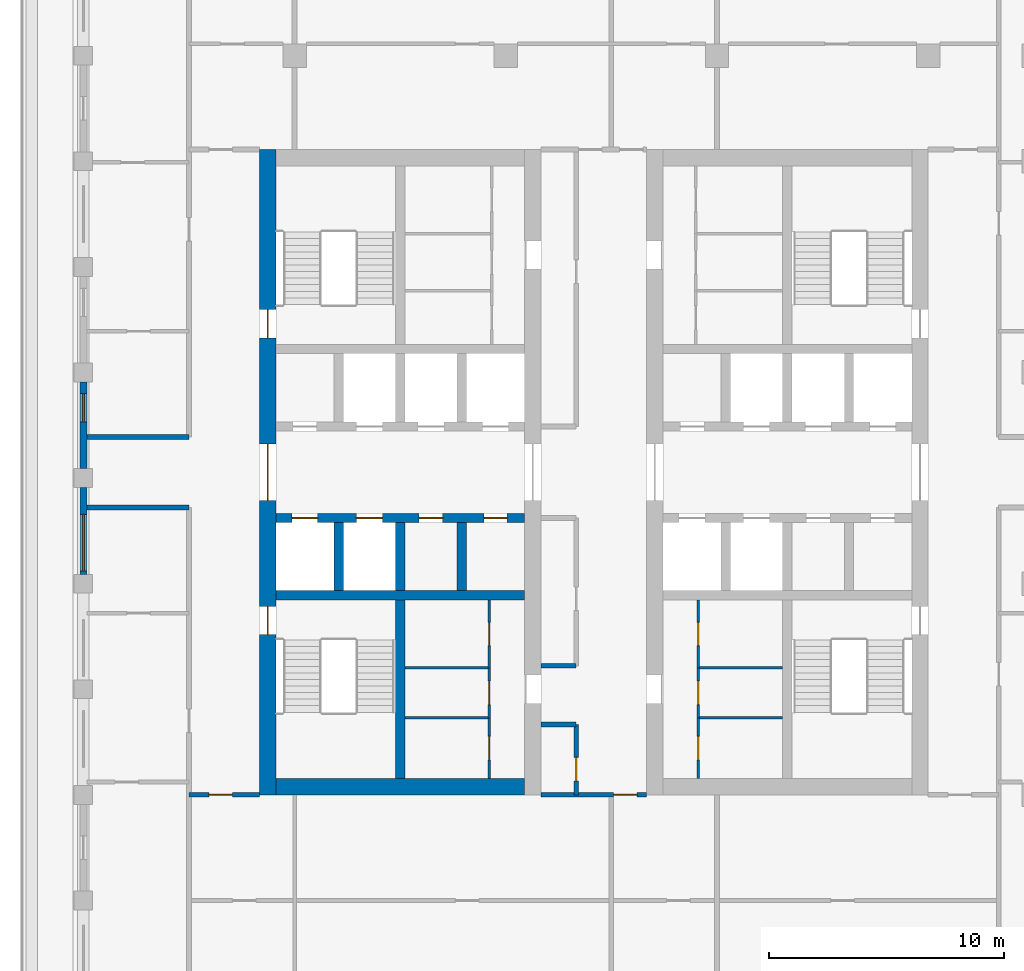
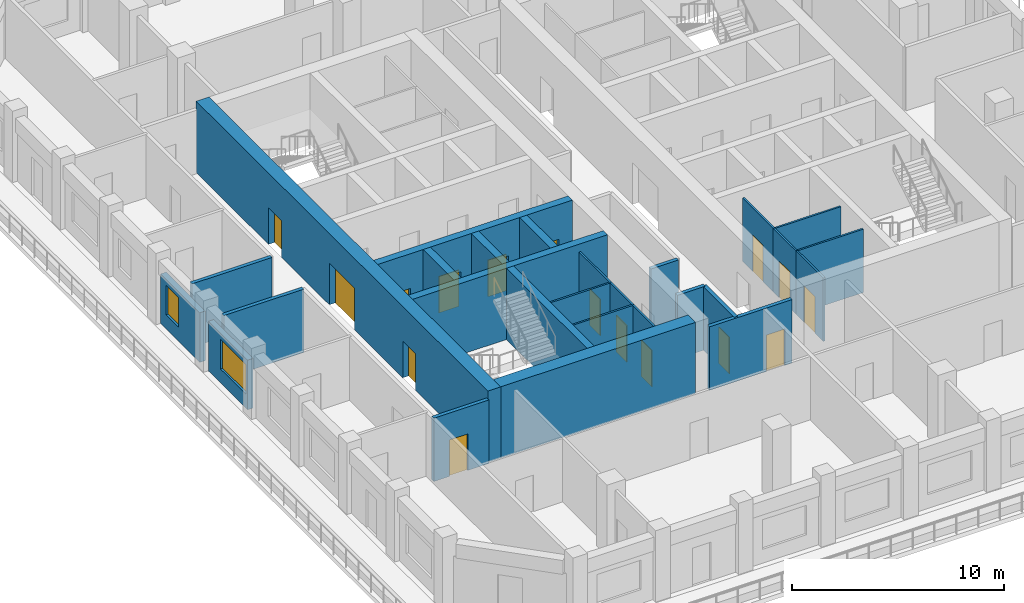
# One storey, part 3 of 17: 27 walls, 16 doors, 2 windows, 18 openings.
"""IFC4 building model written with IfcOpenShell, lengths in metres."""

import ifcopenshell
import ifcopenshell.guid

model = None  # the IFC model being written
_history = None  # IfcOwnerHistory: only IFC2X3 demands one
_inside = {}  # id of a spatial element -> (the spatial element, [elements in it])
_under = {}  # id of a project, library or spatial element -> (it, [spatial elements below it])
_declared = {}  # id of a project -> (the project, [libraries it declares])
_typed = {}  # id of a type object -> (the type object, [elements of that type])
_made_of = {}  # id of a material, layer set ... -> (it, [elements and type objects made of it])


def new_model(schema):
    """Start an empty IFC model of exactly this schema.

    Asked for "IFC4X3", IfcOpenShell would pick the latest addendum, in which some entities
    have other attributes; the version numbers below select the first issue.
    IFC2X3 requires an IfcOwnerHistory on every rooted entity: one is made here for all.
    """
    global model, _history
    if schema == "IFC4X3":
        model = ifcopenshell.file(schema_version=(4, 3, 0, 0))
    else:
        model = ifcopenshell.file(schema=schema)
    _inside.clear()
    _under.clear()
    _declared.clear()
    _typed.clear()
    _made_of.clear()
    _history = None
    if model.schema == "IFC2X3":
        org = make("IfcOrganization", Name="unknown")
        user = make(
            "IfcPersonAndOrganization",
            ThePerson=make("IfcPerson", FamilyName="unknown"),
            TheOrganization=org,
        )
        app = make(
            "IfcApplication",
            ApplicationDeveloper=org,
            Version="unknown",
            ApplicationFullName="unknown",
            ApplicationIdentifier="unknown",
        )
        _history = make(
            "IfcOwnerHistory",
            OwningUser=user,
            OwningApplication=app,
            ChangeAction="ADDED",
            CreationDate=0,
        )
    return model


def make(cls, **values):
    """One entity of the class cls with the attributes given. An attribute that is None is left unset."""
    return model.create_entity(
        cls, **{name: value for name, value in values.items() if value is not None}
    )


def rooted(cls, **values):
    """An entity with a GlobalId (a new one), such as an element, a storey or a relation."""
    return make(cls, GlobalId=ifcopenshell.guid.new(), OwnerHistory=_history, **values)


def si_unit(unit_type, name, prefix=None):
    """IfcSIUnit, for example si_unit("LENGTHUNIT", "METRE", prefix="MILLI")."""
    return make("IfcSIUnit", UnitType=unit_type, Prefix=prefix, Name=name)


def assignment(units):
    """IfcUnitAssignment: the units of a project."""
    return None if units is None else make("IfcUnitAssignment", Units=units)


def point(xyz):
    """IfcCartesianPoint."""
    return None if xyz is None else make("IfcCartesianPoint", Coordinates=xyz)


def direction(xyz):
    """IfcDirection."""
    return None if xyz is None else make("IfcDirection", DirectionRatios=xyz)


def frame(location, z_axis=None, x_axis=None):
    """IfcAxis2Placement3D, a coordinate frame: its origin and axes. An axis left out is left unset."""
    return make(
        "IfcAxis2Placement3D",
        Location=point(location),
        Axis=direction(z_axis),
        RefDirection=direction(x_axis),
    )


def frame_2d(location, x_axis=None):
    """IfcAxis2Placement2D, a coordinate frame in the plane: its origin and x axis."""
    return make(
        "IfcAxis2Placement2D", Location=point(location), RefDirection=direction(x_axis)
    )


def origin():
    """The frame at (0, 0, 0) with its axes left unset."""
    return frame((0.0, 0.0, 0.0))


def place(relative_to, where):
    """IfcLocalPlacement: puts the frame where relative to a parent placement (None: the world)."""
    return make(
        "IfcLocalPlacement", PlacementRelTo=relative_to, RelativePlacement=where
    )


def context(
    kind, dimensions, precision=None, world=None, true_north=None, identifier=None
):
    """IfcGeometricRepresentationContext, for example the 3D "Model" context."""
    return make(
        "IfcGeometricRepresentationContext",
        ContextIdentifier=identifier,
        ContextType=kind,
        CoordinateSpaceDimension=dimensions,
        Precision=precision,
        WorldCoordinateSystem=world,
        TrueNorth=true_north,
    )


def subcontext(parent, identifier, kind, view, scale=None):
    """IfcGeometricRepresentationSubContext, for example "Body" below "Model"."""
    return make(
        "IfcGeometricRepresentationSubContext",
        ContextIdentifier=identifier,
        ContextType=kind,
        ParentContext=parent,
        TargetScale=scale,
        TargetView=view,
    )


def project(units=None, contexts=None):
    """IfcProject with its units and contexts."""
    return rooted(
        "IfcProject",
        Name="project",
        RepresentationContexts=contexts,
        UnitsInContext=assignment(units),
    )


def spatial(cls, under=None, at=None, **own):
    """A site, building, storey or space (cls), placed at a placement, below another one or the project."""
    s = rooted(cls, ObjectPlacement=at, **own)
    if under is not None:
        _under.setdefault(under.id(), (under, []))[1].append(s)
    return s


def profile(cls, at=None, kind="AREA", **sizes):
    """A parametric profile (cls). Its sizes go by their IFC names, for example OverallWidth=200.0."""
    return make(cls, ProfileType=kind, Position=at, **sizes)


def rectangle(**sizes):
    """IfcRectangleProfileDef."""
    return profile("IfcRectangleProfileDef", **sizes)


def extrude(swept, where, along, depth):
    """IfcExtrudedAreaSolid: the profile swept, set in the frame where, extruded along a direction by depth."""
    return make(
        "IfcExtrudedAreaSolid",
        SweptArea=swept,
        Position=where,
        ExtrudedDirection=direction(along),
        Depth=depth,
    )


def shape(context_of_items, identifier, shape_type, items):
    """IfcShapeRepresentation: the items that make up one representation, for example the "Body"."""
    return make(
        "IfcShapeRepresentation",
        ContextOfItems=context_of_items,
        RepresentationIdentifier=identifier,
        RepresentationType=shape_type,
        Items=items,
    )


def material(Name=None, Category=None):
    """IfcMaterial."""
    return make("IfcMaterial", Name=Name, Category=Category)


def layer(
    of_material, thickness, ventilated=None, Name=None, Category=None, Priority=None
):
    """IfcMaterialLayer: one layer of a wall or slab, of a material (None: an air gap)."""
    return make(
        "IfcMaterialLayer",
        Material=of_material,
        LayerThickness=thickness,
        IsVentilated=ventilated,
        Name=Name,
        Category=Category,
        Priority=Priority,
    )


def layer_set(layers, Name=None):
    """IfcMaterialLayerSet."""
    return make("IfcMaterialLayerSet", MaterialLayers=layers, LayerSetName=Name)


def made_of(thing, what):
    """Note that an element or type object is made of a material, layer set ...; save() writes the relation."""
    if what is not None:
        _made_of.setdefault(what.id(), (what, []))[1].append(thing)
    return thing


def type_object(cls, material=None, **own):
    """A type object (cls), such as IfcWallType, which elements share."""
    return made_of(rooted(cls, **own), material)


def element(
    cls,
    number,
    at=None,
    inside=None,
    cuts=None,
    type_object=None,
    material=None,
    context=None,
    identifier="Body",
    shape_type=None,
    held_by="IfcProductDefinitionShape",
    body=None,
    shapes=None,
    **own,
):
    """One element of the class cls, such as IfcWall. Its Tag is "e" and its number.

    at: its placement. inside: the storey or other place that contains it. cuts: it is an
    opening in that element (IfcRelVoidsElement). A single representation is given by context,
    identifier, shape_type and body (its items); several are given by shapes. held_by: the class
    of the entity that holds the representations. save() writes the other relations.
    """
    e = rooted(cls, Tag="e%d" % number, ObjectPlacement=at, **own)
    if body is not None:
        shapes = [shape(context, identifier, shape_type, body)]
    if shapes is not None:
        e.Representation = make(held_by, Representations=shapes)
    if inside is not None:
        _inside.setdefault(inside.id(), (inside, []))[1].append(e)
    if cuts is not None:
        rooted(
            "IfcRelVoidsElement", RelatingBuildingElement=cuts, RelatedOpeningElement=e
        )
    if type_object is not None:
        _typed.setdefault(type_object.id(), (type_object, []))[1].append(e)
    return made_of(e, material)


def fill(opening, filler):
    """IfcRelFillsElement: the door or window that sits in an opening."""
    return rooted(
        "IfcRelFillsElement",
        RelatingOpeningElement=opening,
        RelatedBuildingElement=filler,
    )


def aggregate(whole, parts):
    """IfcRelAggregates: a whole, such as a stair, and the parts it consists of."""
    return rooted("IfcRelAggregates", RelatingObject=whole, RelatedObjects=parts)


def save(model, path):
    """Write the relations noted so far, then the file.

    IfcRelAggregates (storeys below a building ...), IfcRelContainedInSpatialStructure (elements
    in a storey), IfcRelDefinesByType, IfcRelAssociatesMaterial and IfcRelDeclares: one each for
    every whole, place, type object, material and project.
    """
    for whole, parts in _under.values():
        aggregate(whole, parts)
    for where, things in _inside.values():
        rooted(
            "IfcRelContainedInSpatialStructure",
            RelatedElements=things,
            RelatingStructure=where,
        )
    for kind, things in _typed.values():
        rooted("IfcRelDefinesByType", RelatedObjects=things, RelatingType=kind)
    for what, things in _made_of.values():
        rooted("IfcRelAssociatesMaterial", RelatedObjects=things, RelatingMaterial=what)
    for by, libraries in _declared.values():
        rooted("IfcRelDeclares", RelatingContext=by, RelatedDefinitions=libraries)
    model.write(path)


model = new_model("IFC4")

# Units and contexts
model_context = context("Model", 3, precision=1e-05, world=origin(), true_north=direction((0.0, 1.0)))
body_context = subcontext(model_context, "Body", "Model", "MODEL_VIEW")
ifc_project = project(units=[si_unit("LENGTHUNIT", "METRE"), si_unit("AREAUNIT", "SQUARE_METRE"), si_unit("VOLUMEUNIT", "CUBIC_METRE"), si_unit("PLANEANGLEUNIT", "RADIAN"), si_unit("MASSUNIT", "GRAM", prefix="KILO")], contexts=[model_context])

# Site, building, storey
site_placement = place(None, origin())
site = spatial("IfcSite", under=ifc_project, at=site_placement, CompositionType="ELEMENT")
building_placement = place(site_placement, origin())
building = spatial("IfcBuilding", under=site, at=building_placement, Name="Corbel Stack Research Tower", CompositionType="ELEMENT")
storey_placement = place(building_placement, frame((0.0, 0.0, 252.10009765625)))
storey = spatial("IfcBuildingStorey", under=building, at=storey_placement, Name="L57", CompositionType="ELEMENT", Elevation=252.10009765625)

# Wall
ifc_material_1 = material(Name="Concrete C60/75", Category="concrete")
ifc_layer_1 = layer(ifc_material_1, 0.39990234375)
ifc_layer_set_1 = layer_set([ifc_layer_1], Name="Concrete C60/75")
wall_type_1 = type_object("IfcWallType", Name="CW-400-60", PredefinedType="SHEAR", material=ifc_layer_set_1)
wall_1_placement = place(storey_placement, frame((-9.800048828125, -0.5, 0.0), z_axis=(0.0, 0.0, 1.0), x_axis=(1.0, 0.0, 0.0)))
element("IfcWall", 1, at=wall_1_placement, inside=storey, type_object=wall_type_1, Name="West core wall, south row back L57", PredefinedType="SHEAR", context=body_context, shape_type="SweptSolid", body=[
    extrude(rectangle(XDim=10.60009765625, YDim=0.39990234375, at=frame_2d((5.300048828125, 0.0))), origin(), (0.0, 0.0, 1.0), 4.099853515625),
])

# Wall, openings, doors
wall_2_placement = place(storey_placement, frame((-9.800048828125, 2.800048828125, 0.0), z_axis=(0.0, 0.0, 1.0), x_axis=(1.0, 0.0, 0.0)))
wall_2 = element("IfcWall", 2, at=wall_2_placement, inside=storey, type_object=wall_type_1, Name="West core wall, lobby south L57", PredefinedType="SHEAR", context=body_context, shape_type="SweptSolid", body=[
    extrude(rectangle(XDim=10.60009765625, YDim=0.39990234375, at=frame_2d((5.300048828125, 0.0))), origin(), (0.0, 0.0, 1.0), 4.099853515625),
])
opening_1_placement = place(wall_2_placement, frame((0.6875, 0.0, 0.0)))
opening_1 = element("IfcOpeningElement", 3, at=opening_1_placement, cuts=wall_2, Name="Opening LD-FS1", PredefinedType="OPENING", context=body_context, shape_type="SweptSolid", body=[
    extrude(rectangle(XDim=1.10009765625, YDim=2.10009765625, at=frame_2d((0.550048828125, 1.050048828125))), frame((0.0, 0.2099609375, 0.0), z_axis=(0.0, -1.0, 0.0), x_axis=(1.0, 0.0, 0.0)), (0.0, 0.0, 1.0), 0.419921875),
])
opening_2_placement = place(wall_2_placement, frame((3.4375, 0.0, 0.0)))
opening_2 = element("IfcOpeningElement", 4, at=opening_2_placement, cuts=wall_2, Name="Opening LD-GL1", PredefinedType="OPENING", context=body_context, shape_type="SweptSolid", body=[
    extrude(rectangle(XDim=1.10009765625, YDim=2.10009765625, at=frame_2d((0.550048828125, 1.050048828125))), frame((0.0, 0.2099609375, 0.0), z_axis=(0.0, -1.0, 0.0), x_axis=(1.0, 0.0, 0.0)), (0.0, 0.0, 1.0), 0.419921875),
])
opening_3_placement = place(wall_2_placement, frame((6.112548828125, 0.0, 0.0)))
opening_3 = element("IfcOpeningElement", 5, at=opening_3_placement, cuts=wall_2, Name="Opening CR-W12-S3", PredefinedType="OPENING", context=body_context, shape_type="SweptSolid", body=[
    extrude(rectangle(XDim=1.0, YDim=2.10009765625, at=frame_2d((0.5, 1.050048828125))), frame((0.0, 0.2099609375, 0.0), z_axis=(0.0, -1.0, 0.0), x_axis=(1.0, 0.0, 0.0)), (0.0, 0.0, 1.0), 0.419921875),
])
opening_4_placement = place(wall_2_placement, frame((8.862548828125, 0.0, 0.0)))
opening_4 = element("IfcOpeningElement", 6, at=opening_4_placement, cuts=wall_2, Name="Opening CR-W12-S4", PredefinedType="OPENING", context=body_context, shape_type="SweptSolid", body=[
    extrude(rectangle(XDim=1.0, YDim=2.10009765625, at=frame_2d((0.5, 1.050048828125))), frame((0.0, 0.2099609375, 0.0), z_axis=(0.0, -1.0, 0.0), x_axis=(1.0, 0.0, 0.0)), (0.0, 0.0, 1.0), 0.419921875),
])
ifc_material_2 = material(Name="Stainless steel landing door", Category="steel")
door_type_1 = type_object("IfcDoorType", Name="Lift landing door 1100 x 2100", OperationType="DOUBLE_DOOR_SLIDING", PredefinedType="DOOR", material=ifc_material_2)
door_1_placement = place(opening_1_placement, origin())
door_1 = element("IfcDoor", 7, at=door_1_placement, inside=storey, type_object=door_type_1, Name="Landing door FS1", OperationType="DOUBLE_DOOR_SLIDING", OverallHeight=2.10009765625, OverallWidth=1.10009765625, PredefinedType="DOOR", context=body_context, shape_type="SweptSolid", body=[
    extrude(rectangle(XDim=1.10009765625, YDim=2.10009765625, at=frame_2d((0.550048828125, 1.050048828125))), frame((0.0, 0.02490234375, 0.0), z_axis=(0.0, -1.0, 0.0), x_axis=(1.0, 0.0, 0.0)), (0.0, 0.0, 1.0), 0.050048828125),
])
fill(opening_1, door_1)
door_2_placement = place(opening_2_placement, origin())
door_2 = element("IfcDoor", 8, at=door_2_placement, inside=storey, type_object=door_type_1, Name="Landing door GL1", OperationType="DOUBLE_DOOR_SLIDING", OverallHeight=2.10009765625, OverallWidth=1.10009765625, PredefinedType="DOOR", context=body_context, shape_type="SweptSolid", body=[
    extrude(rectangle(XDim=1.10009765625, YDim=2.10009765625, at=frame_2d((0.550048828125, 1.050048828125))), frame((0.0, 0.02490234375, 0.0), z_axis=(0.0, -1.0, 0.0), x_axis=(1.0, 0.0, 0.0)), (0.0, 0.0, 1.0), 0.050048828125),
])
fill(opening_2, door_2)
ifc_material_3 = material(Name="Painted steel door", Category="steel")
door_type_2 = type_object("IfcDoorType", Name="Service door 1000 x 2100 FD60 left hand", OperationType="SINGLE_SWING_LEFT", PredefinedType="DOOR", material=ifc_material_3)
door_3_placement = place(opening_3_placement, origin())
door_3 = element("IfcDoor", 9, at=door_3_placement, inside=storey, type_object=door_type_2, Name="Copy and supply store door W core", OperationType="SINGLE_SWING_LEFT", OverallHeight=2.10009765625, OverallWidth=1.0, PredefinedType="DOOR", context=body_context, shape_type="SweptSolid", body=[
    extrude(rectangle(XDim=1.0, YDim=2.10009765625, at=frame_2d((0.5, 1.050048828125))), frame((0.0, 0.02490234375, 0.0), z_axis=(0.0, -1.0, 0.0), x_axis=(1.0, 0.0, 0.0)), (0.0, 0.0, 1.0), 0.050048828125),
])
fill(opening_3, door_3)
ifc_material_4 = material(Name="Painted steel door", Category="steel")
door_type_3 = type_object("IfcDoorType", Name="Service door 1000 x 2100 FD60 right hand", OperationType="SINGLE_SWING_RIGHT", PredefinedType="DOOR", material=ifc_material_4)
door_4_placement = place(opening_4_placement, origin())
door_4 = element("IfcDoor", 10, at=door_4_placement, inside=storey, type_object=door_type_3, Name="Records store door W core", OperationType="SINGLE_SWING_RIGHT", OverallHeight=2.10009765625, OverallWidth=1.0, PredefinedType="DOOR", context=body_context, shape_type="SweptSolid", body=[
    extrude(rectangle(XDim=1.0, YDim=2.10009765625, at=frame_2d((0.5, 1.050048828125))), frame((0.0, 0.02490234375, 0.0), z_axis=(0.0, -1.0, 0.0), x_axis=(1.0, 0.0, 0.0)), (0.0, 0.0, 1.0), 0.050048828125),
])
fill(opening_4, door_4)

# Walls
for number, where, z_axis, x_axis, name in (
    (11, (-7.125, -0.300048828125, 0.0), (0.0, 0.0, 1.0), (0.0, 1.0, 0.0), "West core wall, south shaft 1 L57"),
    (12, (-4.5, -0.300048828125, 0.0), (0.0, 0.0, 1.0), (0.0, 1.0, 0.0), "West core wall, south shaft 2 L57"),
    (13, (-1.875, -0.300048828125, 0.0), (0.0, 0.0, 1.0), (0.0, 1.0, 0.0), "West core wall, south shaft 3 L57"),
):
    element("IfcWall", number, at=place(storey_placement, frame(where, z_axis=z_axis, x_axis=x_axis)), inside=storey, type_object=wall_type_1, Name=name, PredefinedType="SHEAR", context=body_context, shape_type="SweptSolid", body=[
        extrude(rectangle(XDim=2.900146484375, YDim=0.39990234375, at=frame_2d((1.4501953125, 0.0))), origin(), (0.0, 0.0, 1.0), 4.099853515625),
    ])
wall_3_placement = place(storey_placement, frame((-4.5, -8.300048828125, 0.0), z_axis=(0.0, 0.0, 1.0), x_axis=(0.0, 1.0, 0.0)))
element("IfcWall", 14, at=wall_3_placement, inside=storey, type_object=wall_type_1, Name="West core wall, south stair and WC L57", PredefinedType="SHEAR", context=body_context, shape_type="SweptSolid", body=[
    extrude(rectangle(XDim=7.60009765625, YDim=0.39990234375, at=frame_2d((3.800048828125, 0.0))), origin(), (0.0, 0.0, 1.0), 4.099853515625),
])

# Wall, openings, doors
ifc_material_5 = material(Name="Concrete C60/75", Category="concrete")
ifc_layer_2 = layer(ifc_material_5, 0.699951171875)
ifc_layer_set_2 = layer_set([ifc_layer_2], Name="Concrete C60/75")
wall_type_2 = type_object("IfcWallType", Name="CW-700-60", PredefinedType="SHEAR", material=ifc_layer_set_2)
wall_4_placement = place(storey_placement, frame((-10.14990234375, -9.0, 0.0), z_axis=(0.0, 0.0, 1.0), x_axis=(0.0, 1.0, 0.0)))
wall_4 = element("IfcWall", 15, at=wall_4_placement, inside=storey, type_object=wall_type_2, Name="West core wall, west face L57", PredefinedType="SHEAR", context=body_context, shape_type="SweptSolid", body=[
    extrude(rectangle(XDim=27.5, YDim=0.699951171875, at=frame_2d((13.75, 0.0))), origin(), (0.0, 0.0, 1.0), 4.099853515625),
])
opening_5_placement = place(wall_4_placement, frame((12.550048828125, 0.0, 0.0)))
opening_5 = element("IfcOpeningElement", 16, at=opening_5_placement, cuts=wall_4, Name="Opening CD-W-W", PredefinedType="OPENING", context=body_context, shape_type="SweptSolid", body=[
    extrude(rectangle(XDim=2.39990234375, YDim=2.39990234375, at=frame_2d((1.199951171875, 1.199951171875))), frame((0.0, 0.35986328125, 0.0), z_axis=(0.0, -1.0, 0.0), x_axis=(1.0, 0.0, 0.0)), (0.0, 0.0, 1.0), 0.719970703125),
])
opening_6_placement = place(wall_4_placement, frame((6.824951171875, 0.0, 0.0)))
opening_6 = element("IfcOpeningElement", 17, at=opening_6_placement, cuts=wall_4, Name="Opening SD-ST-W1", PredefinedType="OPENING", context=body_context, shape_type="SweptSolid", body=[
    extrude(rectangle(XDim=1.199951171875, YDim=2.10009765625, at=frame_2d((0.60009765625, 1.050048828125))), frame((0.0, 0.35986328125, 0.0), z_axis=(0.0, -1.0, 0.0), x_axis=(1.0, 0.0, 0.0)), (0.0, 0.0, 1.0), 0.719970703125),
])
opening_7_placement = place(wall_4_placement, frame((19.47509765625, 0.0, 0.0)))
opening_7 = element("IfcOpeningElement", 18, at=opening_7_placement, cuts=wall_4, Name="Opening SD-ST-W2", PredefinedType="OPENING", context=body_context, shape_type="SweptSolid", body=[
    extrude(rectangle(XDim=1.199951171875, YDim=2.10009765625, at=frame_2d((0.60009765625, 1.050048828125))), frame((0.0, 0.35986328125, 0.0), z_axis=(0.0, -1.0, 0.0), x_axis=(1.0, 0.0, 0.0)), (0.0, 0.0, 1.0), 0.719970703125),
])
ifc_material_6 = material(Name="Painted steel fire door", Category="steel")
door_type_4 = type_object("IfcDoorType", Name="Lobby door pair 2400 x 2400 FD30S", OperationType="DOUBLE_DOOR_DOUBLE_SWING", PredefinedType="DOOR", material=ifc_material_6)
door_5_placement = place(opening_5_placement, origin())
door_5 = element("IfcDoor", 19, at=door_5_placement, inside=storey, type_object=door_type_4, Name="Lift lobby door W core W", OperationType="DOUBLE_DOOR_DOUBLE_SWING", OverallHeight=2.39990234375, OverallWidth=2.39990234375, PredefinedType="DOOR", context=body_context, shape_type="SweptSolid", body=[
    extrude(rectangle(XDim=2.39990234375, YDim=2.39990234375, at=frame_2d((1.199951171875, 1.199951171875))), frame((0.0, 0.02490234375, 0.0), z_axis=(0.0, -1.0, 0.0), x_axis=(1.0, 0.0, 0.0)), (0.0, 0.0, 1.0), 0.050048828125),
])
fill(opening_5, door_5)
ifc_material_7 = material(Name="Painted steel fire door", Category="steel")
door_type_5 = type_object("IfcDoorType", Name="Stair door 1200 x 2100 FD90 left hand", OperationType="SINGLE_SWING_LEFT", PredefinedType="DOOR", material=ifc_material_7)
door_6_placement = place(opening_6_placement, origin())
door_6 = element("IfcDoor", 20, at=door_6_placement, inside=storey, type_object=door_type_5, Name="Stair door ST-W1", OperationType="SINGLE_SWING_LEFT", OverallHeight=2.10009765625, OverallWidth=1.199951171875, PredefinedType="DOOR", context=body_context, shape_type="SweptSolid", body=[
    extrude(rectangle(XDim=1.199951171875, YDim=2.10009765625, at=frame_2d((0.60009765625, 1.050048828125))), frame((0.0, 0.02490234375, 0.0), z_axis=(0.0, -1.0, 0.0), x_axis=(1.0, 0.0, 0.0)), (0.0, 0.0, 1.0), 0.050048828125),
])
fill(opening_6, door_6)
door_7_placement = place(opening_7_placement, origin())
door_7 = element("IfcDoor", 21, at=door_7_placement, inside=storey, type_object=door_type_5, Name="Stair door ST-W2", OperationType="SINGLE_SWING_LEFT", OverallHeight=2.10009765625, OverallWidth=1.199951171875, PredefinedType="DOOR", context=body_context, shape_type="SweptSolid", body=[
    extrude(rectangle(XDim=1.199951171875, YDim=2.10009765625, at=frame_2d((0.60009765625, 1.050048828125))), frame((0.0, 0.02490234375, 0.0), z_axis=(0.0, -1.0, 0.0), x_axis=(1.0, 0.0, 0.0)), (0.0, 0.0, 1.0), 0.050048828125),
])
fill(opening_7, door_7)

# Wall
wall_5_placement = place(storey_placement, frame((-9.800048828125, -8.64990234375, 0.0), z_axis=(0.0, 0.0, 1.0), x_axis=(1.0, 0.0, 0.0)))
element("IfcWall", 22, at=wall_5_placement, inside=storey, type_object=wall_type_2, Name="West core wall, south end L57", PredefinedType="SHEAR", context=body_context, shape_type="SweptSolid", body=[
    extrude(rectangle(XDim=10.60009765625, YDim=0.699951171875, at=frame_2d((5.300048828125, 0.0))), origin(), (0.0, 0.0, 1.0), 4.099853515625),
])

# Wall, opening, door
ifc_material_8 = material(Name="Gypsum board")
ifc_layer_3 = layer(ifc_material_8, 0.10009765625)
ifc_layer_set_3 = layer_set([ifc_layer_3], Name="Gypsum board")
wall_type_3 = type_object("IfcWallType", Name="Core partition 100", PredefinedType="PARTITIONING", material=ifc_layer_set_3)
wall_6_placement = place(storey_placement, frame((-0.699951171875, -8.300048828125, 0.0), z_axis=(0.0, 0.0, 1.0), x_axis=(0.0, 1.0, 0.0)))
wall_6 = element("IfcWall", 23, at=wall_6_placement, inside=storey, type_object=wall_type_3, Name="Core partition W", PredefinedType="PARTITIONING", context=body_context, shape_type="SweptSolid", body=[
    extrude(rectangle(XDim=2.583984375, YDim=0.10009765625, at=frame_2d((1.2919921875, 0.0))), origin(), (0.0, 0.0, 1.0), 3.64990234375),
])
opening_8_placement = place(wall_6_placement, frame((0.7919921875, 0.0, 0.0)))
opening_8 = element("IfcOpeningElement", 24, at=opening_8_placement, cuts=wall_6, Name="Opening CR-W12-W2-1000", PredefinedType="OPENING", context=body_context, shape_type="SweptSolid", body=[
    extrude(rectangle(XDim=1.0, YDim=2.10009765625, at=frame_2d((0.5, 1.050048828125))), frame((0.0, 0.06005859375, 0.0), z_axis=(0.0, -1.0, 0.0), x_axis=(1.0, 0.0, 0.0)), (0.0, 0.0, 1.0), 0.1201171875),
])
ifc_material_9 = material(Name="Painted timber door", Category="wood")
door_type_6 = type_object("IfcDoorType", Name="WC door 1000 x 2100 right hand", OperationType="SINGLE_SWING_RIGHT", PredefinedType="DOOR", material=ifc_material_9)
door_8_placement = place(opening_8_placement, origin())
door_8 = element("IfcDoor", 25, at=door_8_placement, inside=storey, type_object=door_type_6, Name="Men's WC door W core", OperationType="SINGLE_SWING_RIGHT", OverallHeight=2.10009765625, OverallWidth=1.0, PredefinedType="DOOR", context=body_context, shape_type="SweptSolid", body=[
    extrude(rectangle(XDim=1.0, YDim=2.10009765625, at=frame_2d((0.5, 1.050048828125))), frame((0.0, 0.02490234375, 0.0), z_axis=(0.0, -1.0, 0.0), x_axis=(1.0, 0.0, 0.0)), (0.0, 0.0, 1.0), 0.050048828125),
])
fill(opening_8, door_8)

wall_7_placement = place(storey_placement, frame((-0.699951171875, -5.716064453125, 0.0), z_axis=(0.0, 0.0, 1.0), x_axis=(0.0, 1.0, 0.0)))
wall_7 = element("IfcWall", 26, at=wall_7_placement, inside=storey, type_object=wall_type_3, Name="Core partition W", PredefinedType="PARTITIONING", context=body_context, shape_type="SweptSolid", body=[
    extrude(rectangle(XDim=2.128173828125, YDim=0.10009765625, at=frame_2d((1.06396484375, 0.0))), origin(), (0.0, 0.0, 1.0), 3.64990234375),
])
opening_9_placement = place(wall_7_placement, frame((0.56396484375, 0.0, 0.0)))
opening_9 = element("IfcOpeningElement", 27, at=opening_9_placement, cuts=wall_7, Name="Opening CR-W12-W3-1000", PredefinedType="OPENING", context=body_context, shape_type="SweptSolid", body=[
    extrude(rectangle(XDim=1.0, YDim=2.10009765625, at=frame_2d((0.5, 1.050048828125))), frame((0.0, 0.06005859375, 0.0), z_axis=(0.0, -1.0, 0.0), x_axis=(1.0, 0.0, 0.0)), (0.0, 0.0, 1.0), 0.1201171875),
])
ifc_material_10 = material(Name="Painted timber door", Category="wood")
door_type_7 = type_object("IfcDoorType", Name="WC door 1000 x 2100 left hand", OperationType="SINGLE_SWING_LEFT", PredefinedType="DOOR", material=ifc_material_10)
door_9_placement = place(opening_9_placement, origin())
door_9 = element("IfcDoor", 28, at=door_9_placement, inside=storey, type_object=door_type_7, Name="Accessible WC door W core", OperationType="SINGLE_SWING_LEFT", OverallHeight=2.10009765625, OverallWidth=1.0, PredefinedType="DOOR", context=body_context, shape_type="SweptSolid", body=[
    extrude(rectangle(XDim=1.0, YDim=2.10009765625, at=frame_2d((0.5, 1.050048828125))), frame((0.0, 0.02490234375, 0.0), z_axis=(0.0, -1.0, 0.0), x_axis=(1.0, 0.0, 0.0)), (0.0, 0.0, 1.0), 0.050048828125),
])
fill(opening_9, door_9)

wall_8_placement = place(storey_placement, frame((-0.699951171875, -3.587890625, 0.0), z_axis=(0.0, 0.0, 1.0), x_axis=(0.0, 1.0, 0.0)))
wall_8 = element("IfcWall", 29, at=wall_8_placement, inside=storey, type_object=wall_type_3, Name="Core partition W", PredefinedType="PARTITIONING", context=body_context, shape_type="SweptSolid", body=[
    extrude(rectangle(XDim=2.887939453125, YDim=0.10009765625, at=frame_2d((1.44384765625, 0.0))), origin(), (0.0, 0.0, 1.0), 3.64990234375),
])
opening_10_placement = place(wall_8_placement, frame((0.944091796875, 0.0, 0.0)))
opening_10 = element("IfcOpeningElement", 30, at=opening_10_placement, cuts=wall_8, Name="Opening CR-W12-W4-1000", PredefinedType="OPENING", context=body_context, shape_type="SweptSolid", body=[
    extrude(rectangle(XDim=1.0, YDim=2.10009765625, at=frame_2d((0.5, 1.050048828125))), frame((0.0, 0.06005859375, 0.0), z_axis=(0.0, -1.0, 0.0), x_axis=(1.0, 0.0, 0.0)), (0.0, 0.0, 1.0), 0.1201171875),
])
door_10_placement = place(opening_10_placement, origin())
door_10 = element("IfcDoor", 31, at=door_10_placement, inside=storey, type_object=door_type_6, Name="Women's WC door W core", OperationType="SINGLE_SWING_RIGHT", OverallHeight=2.10009765625, OverallWidth=1.0, PredefinedType="DOOR", context=body_context, shape_type="SweptSolid", body=[
    extrude(rectangle(XDim=1.0, YDim=2.10009765625, at=frame_2d((0.5, 1.050048828125))), frame((0.0, 0.02490234375, 0.0), z_axis=(0.0, -1.0, 0.0), x_axis=(1.0, 0.0, 0.0)), (0.0, 0.0, 1.0), 0.050048828125),
])
fill(opening_10, door_10)

# Walls
for number, where, z_axis, x_axis, name in (
    (32, (-4.300048828125, -5.716064453125, 0.0), (0.0, 0.0, 1.0), (1.0, 0.0, 0.0), "Core partition W"),
    (33, (-4.300048828125, -3.587890625, 0.0), (0.0, 0.0, 1.0), (1.0, 0.0, 0.0), "Core partition W"),
):
    element("IfcWall", number, at=place(storey_placement, frame(where, z_axis=z_axis, x_axis=x_axis)), inside=storey, type_object=wall_type_3, Name=name, PredefinedType="PARTITIONING", context=body_context, shape_type="SweptSolid", body=[
        extrude(rectangle(XDim=3.60009765625, YDim=0.10009765625, at=frame_2d((1.800048828125, 0.0))), origin(), (0.0, 0.0, 1.0), 3.64990234375),
    ])

# Wall, opening, door
wall_9_placement = place(storey_placement, frame((8.199951171875, -8.300048828125, 0.0), z_axis=(0.0, 0.0, 1.0), x_axis=(0.0, 1.0, 0.0)))
wall_9 = element("IfcWall", 34, at=wall_9_placement, inside=storey, type_object=wall_type_3, Name="Core partition E", PredefinedType="PARTITIONING", context=body_context, shape_type="SweptSolid", body=[
    extrude(rectangle(XDim=2.583984375, YDim=0.10009765625, at=frame_2d((1.2919921875, 0.0))), origin(), (0.0, 0.0, 1.0), 3.64990234375),
])
opening_11_placement = place(wall_9_placement, frame((0.7919921875, 0.0, 0.0)))
opening_11 = element("IfcOpeningElement", 35, at=opening_11_placement, cuts=wall_9, Name="Opening CR-E12-W2-1000", PredefinedType="OPENING", context=body_context, shape_type="SweptSolid", body=[
    extrude(rectangle(XDim=1.0, YDim=2.10009765625, at=frame_2d((0.5, 1.050048828125))), frame((0.0, 0.06005859375, 0.0), z_axis=(0.0, -1.0, 0.0), x_axis=(1.0, 0.0, 0.0)), (0.0, 0.0, 1.0), 0.1201171875),
])
door_11_placement = place(opening_11_placement, origin())
door_11 = element("IfcDoor", 36, at=door_11_placement, inside=storey, type_object=door_type_7, Name="Men's WC door E core", OperationType="SINGLE_SWING_LEFT", OverallHeight=2.10009765625, OverallWidth=1.0, PredefinedType="DOOR", context=body_context, shape_type="SweptSolid", body=[
    extrude(rectangle(XDim=1.0, YDim=2.10009765625, at=frame_2d((0.5, 1.050048828125))), frame((0.0, 0.02490234375, 0.0), z_axis=(0.0, -1.0, 0.0), x_axis=(1.0, 0.0, 0.0)), (0.0, 0.0, 1.0), 0.050048828125),
])
fill(opening_11, door_11)

wall_10_placement = place(storey_placement, frame((8.199951171875, -5.716064453125, 0.0), z_axis=(0.0, 0.0, 1.0), x_axis=(0.0, 1.0, 0.0)))
wall_10 = element("IfcWall", 37, at=wall_10_placement, inside=storey, type_object=wall_type_3, Name="Core partition E", PredefinedType="PARTITIONING", context=body_context, shape_type="SweptSolid", body=[
    extrude(rectangle(XDim=2.128173828125, YDim=0.10009765625, at=frame_2d((1.06396484375, 0.0))), origin(), (0.0, 0.0, 1.0), 3.64990234375),
])
opening_12_placement = place(wall_10_placement, frame((0.56396484375, 0.0, 0.0)))
opening_12 = element("IfcOpeningElement", 38, at=opening_12_placement, cuts=wall_10, Name="Opening CR-E12-W3-1000", PredefinedType="OPENING", context=body_context, shape_type="SweptSolid", body=[
    extrude(rectangle(XDim=1.0, YDim=2.10009765625, at=frame_2d((0.5, 1.050048828125))), frame((0.0, 0.06005859375, 0.0), z_axis=(0.0, -1.0, 0.0), x_axis=(1.0, 0.0, 0.0)), (0.0, 0.0, 1.0), 0.1201171875),
])
door_12_placement = place(opening_12_placement, origin())
door_12 = element("IfcDoor", 39, at=door_12_placement, inside=storey, type_object=door_type_6, Name="Accessible WC door E core", OperationType="SINGLE_SWING_RIGHT", OverallHeight=2.10009765625, OverallWidth=1.0, PredefinedType="DOOR", context=body_context, shape_type="SweptSolid", body=[
    extrude(rectangle(XDim=1.0, YDim=2.10009765625, at=frame_2d((0.5, 1.050048828125))), frame((0.0, 0.02490234375, 0.0), z_axis=(0.0, -1.0, 0.0), x_axis=(1.0, 0.0, 0.0)), (0.0, 0.0, 1.0), 0.050048828125),
])
fill(opening_12, door_12)

wall_11_placement = place(storey_placement, frame((8.199951171875, -3.587890625, 0.0), z_axis=(0.0, 0.0, 1.0), x_axis=(0.0, 1.0, 0.0)))
wall_11 = element("IfcWall", 40, at=wall_11_placement, inside=storey, type_object=wall_type_3, Name="Core partition E", PredefinedType="PARTITIONING", context=body_context, shape_type="SweptSolid", body=[
    extrude(rectangle(XDim=2.887939453125, YDim=0.10009765625, at=frame_2d((1.44384765625, 0.0))), origin(), (0.0, 0.0, 1.0), 3.64990234375),
])
opening_13_placement = place(wall_11_placement, frame((0.944091796875, 0.0, 0.0)))
opening_13 = element("IfcOpeningElement", 41, at=opening_13_placement, cuts=wall_11, Name="Opening CR-E12-W4-1000", PredefinedType="OPENING", context=body_context, shape_type="SweptSolid", body=[
    extrude(rectangle(XDim=1.0, YDim=2.10009765625, at=frame_2d((0.5, 1.050048828125))), frame((0.0, 0.06005859375, 0.0), z_axis=(0.0, -1.0, 0.0), x_axis=(1.0, 0.0, 0.0)), (0.0, 0.0, 1.0), 0.1201171875),
])
door_13_placement = place(opening_13_placement, origin())
door_13 = element("IfcDoor", 42, at=door_13_placement, inside=storey, type_object=door_type_7, Name="Women's WC door E core", OperationType="SINGLE_SWING_LEFT", OverallHeight=2.10009765625, OverallWidth=1.0, PredefinedType="DOOR", context=body_context, shape_type="SweptSolid", body=[
    extrude(rectangle(XDim=1.0, YDim=2.10009765625, at=frame_2d((0.5, 1.050048828125))), frame((0.0, 0.02490234375, 0.0), z_axis=(0.0, -1.0, 0.0), x_axis=(1.0, 0.0, 0.0)), (0.0, 0.0, 1.0), 0.050048828125),
])
fill(opening_13, door_13)

# Walls
for number, where, z_axis, x_axis, name in (
    (43, (8.199951171875, -5.716064453125, 0.0), (0.0, 0.0, 1.0), (1.0, 0.0, 0.0), "Core partition E"),
    (44, (8.199951171875, -3.587890625, 0.0), (0.0, 0.0, 1.0), (1.0, 0.0, 0.0), "Core partition E"),
):
    element("IfcWall", number, at=place(storey_placement, frame(where, z_axis=z_axis, x_axis=x_axis)), inside=storey, type_object=wall_type_3, Name=name, PredefinedType="PARTITIONING", context=body_context, shape_type="SweptSolid", body=[
        extrude(rectangle(XDim=3.60009765625, YDim=0.10009765625, at=frame_2d((1.800048828125, 0.0))), origin(), (0.0, 0.0, 1.0), 3.64990234375),
    ])

# Wall, opening, door
ifc_material_11 = material(Name="Fire-rated gypsum board partition on steel studs", Category="steel")
ifc_layer_4 = layer(ifc_material_11, 0.199951171875)
ifc_layer_set_4 = layer_set([ifc_layer_4], Name="Fire-rated gypsum board partition on steel studs")
wall_type_4 = type_object("IfcWallType", Name="Fire-rated partition 200 EI 60", PredefinedType="PARTITIONING", material=ifc_layer_set_4)
wall_12_placement = place(storey_placement, frame((3.0, -9.0, 0.0), z_axis=(0.0, 0.0, 1.0), x_axis=(0.0, 1.0, 0.0)))
wall_12 = element("IfcWall", 45, at=wall_12_placement, inside=storey, type_object=wall_type_4, Name="Partition L57-008", PredefinedType="PARTITIONING", context=body_context, shape_type="SweptSolid", body=[
    extrude(rectangle(XDim=3.0, YDim=0.199951171875, at=frame_2d((1.5, 0.0))), origin(), (0.0, 0.0, 1.0), 3.64990234375),
])
opening_14_placement = place(wall_12_placement, frame((0.60009765625, 0.0, 0.0)))
opening_14 = element("IfcOpeningElement", 46, at=opening_14_placement, cuts=wall_12, Name="Opening B7V1-015", PredefinedType="OPENING", context=body_context, shape_type="SweptSolid", body=[
    extrude(rectangle(XDim=1.0, YDim=2.10009765625, at=frame_2d((0.5, 1.050048828125))), frame((0.0, 0.10986328125, 0.0), z_axis=(0.0, -1.0, 0.0), x_axis=(1.0, 0.0, 0.0)), (0.0, 0.0, 1.0), 0.219970703125),
])
ifc_material_12 = material(Name="Painted steel fire door", Category="steel")
door_type_8 = type_object("IfcDoorType", Name="Fire door FD30S 1000 x 2100", OperationType="NOTDEFINED", PredefinedType="DOOR", material=ifc_material_12)
door_14_placement = place(opening_14_placement, origin())
door_14 = element("IfcDoor", 47, at=door_14_placement, inside=storey, type_object=door_type_8, Name="Door B7V1-015", OperationType="SINGLE_SWING_LEFT", OverallHeight=2.10009765625, OverallWidth=1.0, PredefinedType="DOOR", context=body_context, shape_type="SweptSolid", body=[
    extrude(rectangle(XDim=1.0, YDim=2.10009765625, at=frame_2d((0.5, 1.050048828125))), frame((0.0, 0.02490234375, 0.0), z_axis=(0.0, -1.0, 0.0), x_axis=(1.0, 0.0, 0.0)), (0.0, 0.0, 1.0), 0.050048828125),
])
fill(opening_14, door_14)

wall_13_placement = place(storey_placement, frame((-10.5, -9.0, 0.0), z_axis=(0.0, 0.0, 1.0), x_axis=(-1.0, 0.0, 0.0)))
wall_13 = element("IfcWall", 48, at=wall_13_placement, inside=storey, type_object=wall_type_4, Name="Partition L57-021", PredefinedType="PARTITIONING", context=body_context, shape_type="SweptSolid", body=[
    extrude(rectangle(XDim=3.0, YDim=0.199951171875, at=frame_2d((1.5, 0.0))), origin(), (0.0, 0.0, 1.0), 3.64990234375),
])
opening_15_placement = place(wall_13_placement, frame((1.14990234375, 0.0, 0.0)))
opening_15 = element("IfcOpeningElement", 49, at=opening_15_placement, cuts=wall_13, Name="Opening B7V1-008", PredefinedType="OPENING", context=body_context, shape_type="SweptSolid", body=[
    extrude(rectangle(XDim=1.0, YDim=2.10009765625, at=frame_2d((0.5, 1.050048828125))), frame((0.0, 0.10986328125, 0.0), z_axis=(0.0, -1.0, 0.0), x_axis=(1.0, 0.0, 0.0)), (0.0, 0.0, 1.0), 0.219970703125),
])
door_15_placement = place(opening_15_placement, origin())
door_15 = element("IfcDoor", 50, at=door_15_placement, inside=storey, type_object=door_type_8, Name="Door B7V1-008", OperationType="SINGLE_SWING_RIGHT", OverallHeight=2.10009765625, OverallWidth=1.0, PredefinedType="DOOR", context=body_context, shape_type="SweptSolid", body=[
    extrude(rectangle(XDim=1.0, YDim=2.10009765625, at=frame_2d((0.5, 1.050048828125))), frame((0.0, 0.02490234375, 0.0), z_axis=(0.0, -1.0, 0.0), x_axis=(1.0, 0.0, 0.0)), (0.0, 0.0, 1.0), 0.050048828125),
])
fill(opening_15, door_15)

wall_14_placement = place(storey_placement, frame((6.0, -9.0, 0.0), z_axis=(0.0, 0.0, 1.0), x_axis=(-1.0, 0.0, 0.0)))
wall_14 = element("IfcWall", 51, at=wall_14_placement, inside=storey, type_object=wall_type_4, Name="Partition L57-022", PredefinedType="PARTITIONING", context=body_context, shape_type="SweptSolid", body=[
    extrude(rectangle(XDim=4.5, YDim=0.199951171875, at=frame_2d((2.25, 0.0))), origin(), (0.0, 0.0, 1.0), 3.64990234375),
])
opening_16_placement = place(wall_14_placement, frame((0.39990234375, 0.0, 0.0)))
opening_16 = element("IfcOpeningElement", 52, at=opening_16_placement, cuts=wall_14, Name="Opening B7V1-009", PredefinedType="OPENING", context=body_context, shape_type="SweptSolid", body=[
    extrude(rectangle(XDim=1.0, YDim=2.10009765625, at=frame_2d((0.5, 1.050048828125))), frame((0.0, 0.10986328125, 0.0), z_axis=(0.0, -1.0, 0.0), x_axis=(1.0, 0.0, 0.0)), (0.0, 0.0, 1.0), 0.219970703125),
])
door_16_placement = place(opening_16_placement, origin())
door_16 = element("IfcDoor", 53, at=door_16_placement, inside=storey, type_object=door_type_8, Name="Door B7V1-009", OperationType="SINGLE_SWING_LEFT", OverallHeight=2.10009765625, OverallWidth=1.0, PredefinedType="DOOR", context=body_context, shape_type="SweptSolid", body=[
    extrude(rectangle(XDim=1.0, YDim=2.10009765625, at=frame_2d((0.5, 1.050048828125))), frame((0.0, 0.02490234375, 0.0), z_axis=(0.0, -1.0, 0.0), x_axis=(1.0, 0.0, 0.0)), (0.0, 0.0, 1.0), 0.050048828125),
])
fill(opening_16, door_16)

# Walls
for number, where, z_axis, x_axis, name in (
    (54, (1.5, -6.0, 0.0), (0.0, 0.0, 1.0), (1.0, 0.0, 0.0), "Partition L57-027"),
    (55, (1.5, -3.5, 0.0), (0.0, 0.0, 1.0), (1.0, 0.0, 0.0), "Partition L57-028"),
):
    element("IfcWall", number, at=place(storey_placement, frame(where, z_axis=z_axis, x_axis=x_axis)), inside=storey, type_object=wall_type_4, Name=name, PredefinedType="PARTITIONING", context=body_context, shape_type="SweptSolid", body=[
        extrude(rectangle(XDim=1.5, YDim=0.199951171875, at=frame_2d((0.75, 0.0))), origin(), (0.0, 0.0, 1.0), 3.64990234375),
    ])
for number, where, z_axis, x_axis, name in (
    (56, (-17.85009765625, 3.25, 0.0), (0.0, 0.0, 1.0), (1.0, 0.0, 0.0), "Partition L57-032"),
    (57, (-17.85009765625, 6.25, 0.0), (0.0, 0.0, 1.0), (1.0, 0.0, 0.0), "Partition L57-034"),
):
    element("IfcWall", number, at=place(storey_placement, frame(where, z_axis=z_axis, x_axis=x_axis)), inside=storey, type_object=wall_type_4, Name=name, PredefinedType="PARTITIONING", context=body_context, shape_type="SweptSolid", body=[
        extrude(rectangle(XDim=4.35009765625, YDim=0.199951171875, at=frame_2d((2.175048828125, 0.0))), origin(), (0.0, 0.0, 1.0), 3.64990234375),
    ])

# Wall, opening, window
ifc_material_13 = material(Name="Concrete C45/55", Category="concrete")
ifc_layer_5 = layer(ifc_material_13, 0.300048828125)
ifc_layer_set_5 = layer_set([ifc_layer_5], Name="Concrete C45/55")
wall_type_5 = type_object("IfcWallType", Name="Terracotta-faced concrete wall 300", PredefinedType="SOLIDWALL", material=ifc_layer_set_5)
wall_15_placement = place(storey_placement, frame((-18.0, 4.89990234375, 0.0), z_axis=(0.0, 0.0, 1.0), x_axis=(0.0, 1.0, 0.0)))
wall_15 = element("IfcWall", 58, at=wall_15_placement, inside=storey, type_object=wall_type_5, Name="Facade wall L57 W05", PredefinedType="SOLIDWALL", context=body_context, shape_type="SweptSolid", body=[
    extrude(rectangle(XDim=3.7001953125, YDim=0.300048828125, at=frame_2d((1.85009765625, 0.0))), origin(), (0.0, 0.0, 1.0), 2.849853515625),
])
opening_17_placement = place(wall_15_placement, frame((2.0, 0.0, 0.800048828125)))
opening_17 = element("IfcOpeningElement", 59, at=opening_17_placement, cuts=wall_15, Name="Opening W2", PredefinedType="OPENING", context=body_context, shape_type="SweptSolid", body=[
    extrude(rectangle(XDim=1.199951171875, YDim=1.699951171875, at=frame_2d((0.60009765625, 0.85009765625))), frame((0.0, 0.159912109375, 0.0), z_axis=(0.0, -1.0, 0.0), x_axis=(1.0, 0.0, 0.0)), (0.0, 0.0, 1.0), 0.320068359375),
])
ifc_material_14 = material(Name="Aluminium frame, clear double glazing", Category="aluminium")
window_type_1 = type_object("IfcWindowType", Name="Window W2 1200 x 1700", PartitioningType="SINGLE_PANEL", PredefinedType="WINDOW", material=ifc_material_14)
window_1_placement = place(opening_17_placement, origin())
window_1 = element("IfcWindow", 60, at=window_1_placement, inside=storey, type_object=window_type_1, Name="Window W2 L57 W05", OverallHeight=1.699951171875, OverallWidth=1.199951171875, PartitioningType="SINGLE_PANEL", PredefinedType="WINDOW", context=body_context, shape_type="SweptSolid", body=[
    extrude(rectangle(XDim=1.199951171875, YDim=1.699951171875, at=frame_2d((0.60009765625, 0.85009765625))), frame((0.0, 0.030029296875, 0.0), z_axis=(0.0, -1.0, 0.0), x_axis=(1.0, 0.0, 0.0)), (0.0, 0.0, 1.0), 0.06005859375),
])
fill(opening_17, window_1)

wall_16_placement = place(storey_placement, frame((-18.0, 0.39990234375, 0.0), z_axis=(0.0, 0.0, 1.0), x_axis=(0.0, 1.0, 0.0)))
wall_16 = element("IfcWall", 61, at=wall_16_placement, inside=storey, type_object=wall_type_5, Name="Facade wall L57 W06", PredefinedType="SOLIDWALL", context=body_context, shape_type="SweptSolid", body=[
    extrude(rectangle(XDim=3.7001953125, YDim=0.300048828125, at=frame_2d((1.85009765625, 0.0))), origin(), (0.0, 0.0, 1.0), 2.849853515625),
])
opening_18_placement = place(wall_16_placement, frame((0.14990234375, 0.0, 0.800048828125)))
opening_18 = element("IfcOpeningElement", 62, at=opening_18_placement, cuts=wall_16, Name="Opening W1", PredefinedType="OPENING", context=body_context, shape_type="SweptSolid", body=[
    extrude(rectangle(XDim=2.39990234375, YDim=1.699951171875, at=frame_2d((1.199951171875, 0.85009765625))), frame((0.0, 0.159912109375, 0.0), z_axis=(0.0, -1.0, 0.0), x_axis=(1.0, 0.0, 0.0)), (0.0, 0.0, 1.0), 0.320068359375),
])
ifc_material_15 = material(Name="Aluminium frame, clear double glazing", Category="aluminium")
window_type_2 = type_object("IfcWindowType", Name="Window W1 2400 x 1700", PartitioningType="SINGLE_PANEL", PredefinedType="WINDOW", material=ifc_material_15)
window_2_placement = place(opening_18_placement, origin())
window_2 = element("IfcWindow", 63, at=window_2_placement, inside=storey, type_object=window_type_2, Name="Window W1 L57 W06", OverallHeight=1.699951171875, OverallWidth=2.39990234375, PartitioningType="SINGLE_PANEL", PredefinedType="WINDOW", context=body_context, shape_type="SweptSolid", body=[
    extrude(rectangle(XDim=2.39990234375, YDim=1.699951171875, at=frame_2d((1.199951171875, 0.85009765625))), frame((0.0, 0.030029296875, 0.0), z_axis=(0.0, -1.0, 0.0), x_axis=(1.0, 0.0, 0.0)), (0.0, 0.0, 1.0), 0.06005859375),
])
fill(opening_18, window_2)

save(model, "model.ifc")
